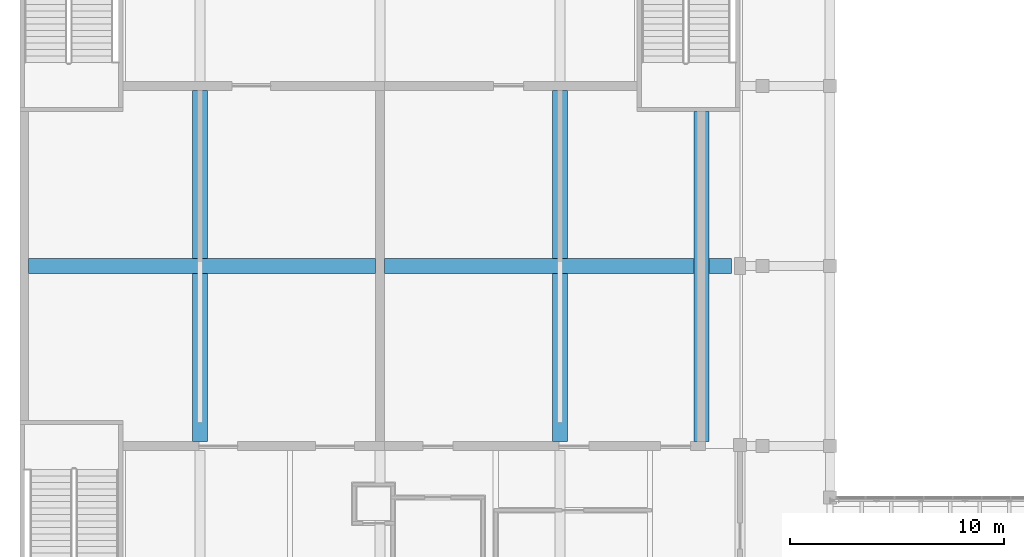
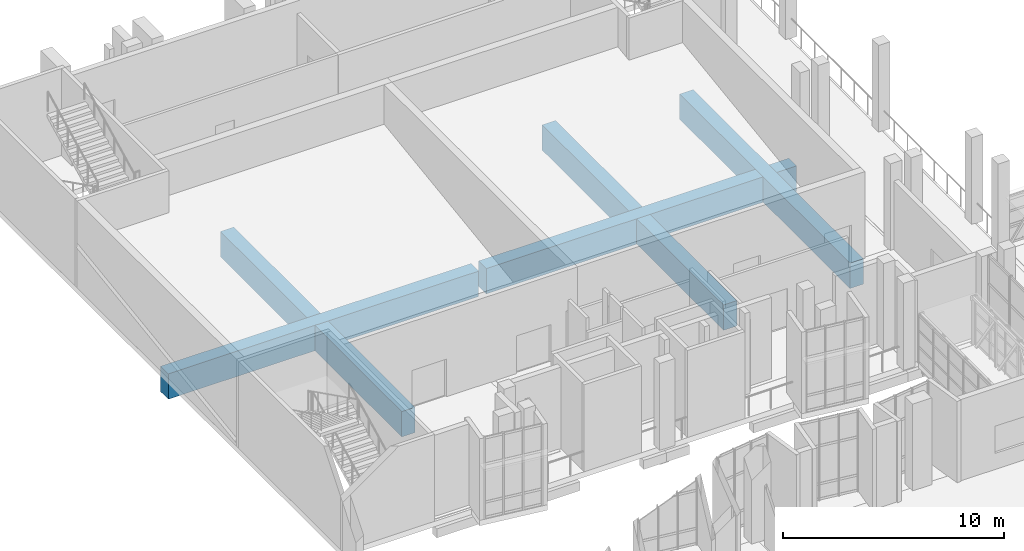
# One storey, part 12 of 86: 5 beams.
"""IFC4 building model written with IfcOpenShell, lengths in metres."""

from ifc_helpers import new_model, si_unit, direction, frame, origin, origin_2d, place, context, subcontext, project, spatial, rectangle, extrude, material, material_profile, profile_set, type_object, element, save


model = new_model("IFC4")

# Units and contexts
model_context = context("Model", 3, precision=1e-05, world=origin(), true_north=direction((0.0, 1.0)))
body_context = subcontext(model_context, "Body", "Model", "MODEL_VIEW")
ifc_project = project(units=[si_unit("LENGTHUNIT", "METRE"), si_unit("AREAUNIT", "SQUARE_METRE"), si_unit("VOLUMEUNIT", "CUBIC_METRE"), si_unit("PLANEANGLEUNIT", "RADIAN"), si_unit("MASSUNIT", "GRAM", prefix="KILO")], contexts=[model_context])

# Site, building, storey
site_placement = place(None, origin())
site = spatial("IfcSite", under=ifc_project, at=site_placement, CompositionType="ELEMENT")
building_placement = place(site_placement, origin())
building = spatial("IfcBuilding", under=site, at=building_placement, Name="Kiln Court Media Centre", CompositionType="ELEMENT")
storey_placement = place(building_placement, frame((0.0, 0.0, 10.199951171875)))
storey = spatial("IfcBuildingStorey", under=building, at=storey_placement, Name="L02", CompositionType="ELEMENT", Elevation=10.199951171875)

# Beams
ifc_material = material(Name="Concrete C30/37", Category="concrete")
ifc_material_profile = material_profile(ifc_material, rectangle(XDim=0.699951171875, YDim=1.39990234375, at=origin_2d()), Name="RC 700x1400")
ifc_profile_set = profile_set([ifc_material_profile], Name="Concrete C30/37")
beam_type = type_object("IfcBeamType", Name="Concrete C30/37 beam 700x1400", PredefinedType="BEAM", material=ifc_profile_set)
for number, where, z_axis, x_axis, name in (
    (1, (8.39990234375, 42.199951171875, -1.0), (0.0, 1.0, 0.0), (-1.0, 0.0, 0.0), "L02-B-1054"),
    (2, (25.199951171875, 42.199951171875, -1.0), (0.0, 1.0, 0.0), (-1.0, 0.0, 0.0), "L02-B-1060"),
):
    element("IfcBeam", number, at=place(storey_placement, frame(where, z_axis=z_axis, x_axis=x_axis)), inside=storey, type_object=beam_type, Name=name, PredefinedType="BEAM", context=body_context, shape_type="SweptSolid", body=[
        extrude(rectangle(XDim=0.699951171875, YDim=1.39990234375, at=origin_2d()), origin(), (0.0, 0.0, 1.0), 16.400146484375),
    ])
beam_1_placement = place(storey_placement, frame((0.39990234375, 50.39990234375, -1.0), z_axis=(1.0, 0.0, 0.0), x_axis=(0.0, 1.0, 0.0)))
element("IfcBeam", 3, at=beam_1_placement, inside=storey, type_object=beam_type, Name="L02-B-1071", PredefinedType="BEAM", context=body_context, shape_type="SweptSolid", body=[
    extrude(rectangle(XDim=0.699951171875, YDim=1.39990234375, at=origin_2d()), origin(), (0.0, 0.0, 1.0), 16.2001953125),
])
beam_2_placement = place(storey_placement, frame((17.0, 50.39990234375, -1.0), z_axis=(1.0, 0.0, 0.0), x_axis=(0.0, 1.0, 0.0)))
element("IfcBeam", 4, at=beam_2_placement, inside=storey, type_object=beam_type, Name="L02-B-1072", PredefinedType="BEAM", context=body_context, shape_type="SweptSolid", body=[
    extrude(rectangle(XDim=0.699951171875, YDim=1.39990234375, at=origin_2d()), origin(), (0.0, 0.0, 1.0), 16.199951171875),
])
beam_3_placement = place(storey_placement, frame((31.800048828125, 57.60009765625, -1.0), z_axis=(0.0, -1.0, 0.0), x_axis=(1.0, 0.0, 0.0)))
element("IfcBeam", 5, at=beam_3_placement, inside=storey, type_object=beam_type, Name="L02-B-1077", PredefinedType="BEAM", context=body_context, shape_type="SweptSolid", body=[
    extrude(rectangle(XDim=0.699951171875, YDim=1.39990234375, at=origin_2d()), origin(), (0.0, 0.0, 1.0), 15.400146484375),
])

save(model, "model.ifc")
